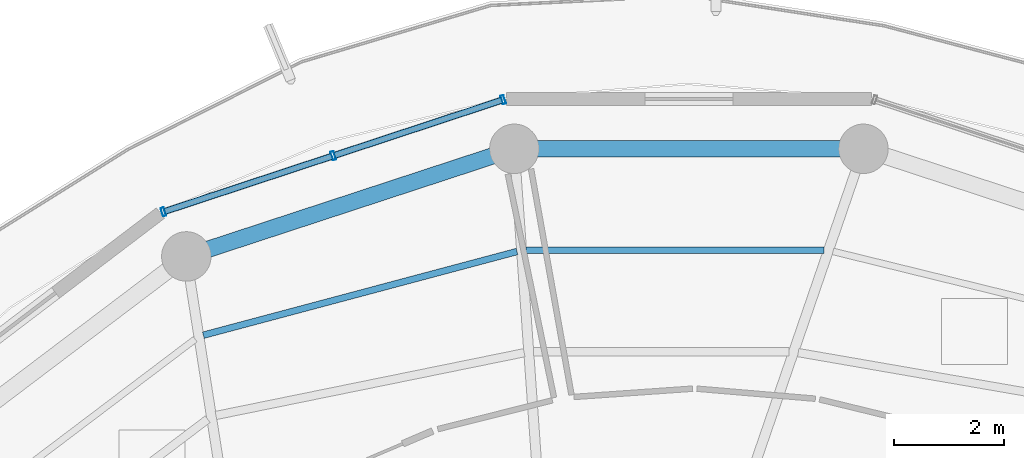
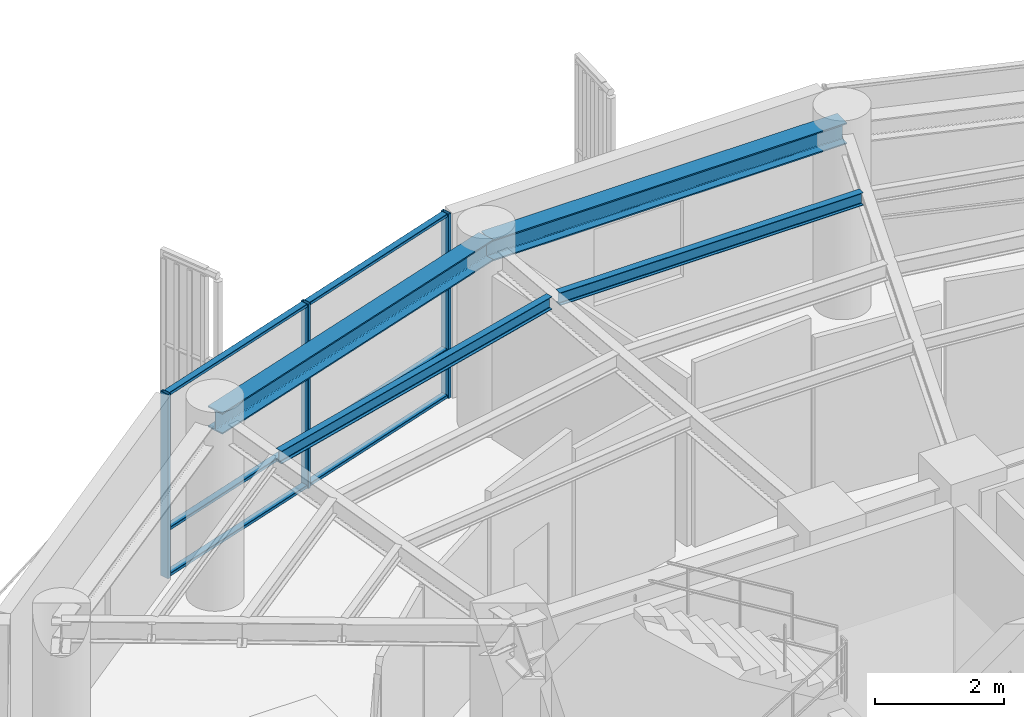
# One storey, part 13 of 23: 9 members, 4 beams, 1 element without a shape of its own.
"""IFC4 building model written with IfcOpenShell, lengths in metres."""

from ifc_helpers import new_model, si_unit, direction, frame, origin, origin_2d, place, context, subcontext, project, spatial, hollow_rectangle, i_section, extrude, material, layer, layer_set, material_profile, profile_set, type_object, element, aggregate, save


model = new_model("IFC4")

# Units and contexts
model_context = context("Model", 3, precision=1e-05, world=origin(), true_north=direction((0.0, 1.0)))
body_context = subcontext(model_context, "Body", "Model", "MODEL_VIEW")
ifc_project = project(units=[si_unit("LENGTHUNIT", "METRE"), si_unit("AREAUNIT", "SQUARE_METRE"), si_unit("VOLUMEUNIT", "CUBIC_METRE"), si_unit("PLANEANGLEUNIT", "RADIAN"), si_unit("MASSUNIT", "GRAM", prefix="KILO")], contexts=[model_context])

# Site, building, storey
site_placement = place(None, origin())
site = spatial("IfcSite", under=ifc_project, at=site_placement, CompositionType="ELEMENT")
building_placement = place(site_placement, origin())
building = spatial("IfcBuilding", under=site, at=building_placement, Name="Kelanora Arch Commons", CompositionType="ELEMENT")
storey_placement = place(building_placement, frame((0.0, 0.0, 286.199951171875)))
storey = spatial("IfcBuildingStorey", under=building, at=storey_placement, Name="L73", CompositionType="ELEMENT", Elevation=286.199951171875)

# Beams
ifc_material_1 = material(Name="Steel S355", Category="steel")
ifc_material_profile_1 = material_profile(ifc_material_1, i_section(OverallWidth=0.1201171875, OverallDepth=0.239990234375, WebThickness=0.006103515625, FlangeThickness=0.009765625, FilletRadius=0.014892578125, at=origin_2d()), Name="IPE240")
ifc_profile_set_1 = profile_set([ifc_material_profile_1], Name="Steel S355")
beam_type_1 = type_object("IfcBeamType", Name="BM-JST-02", PredefinedType="JOIST", material=ifc_profile_set_1)
beam_1_placement = place(storey_placement, frame((76.454345703125, 72.3837890625, 3.3701171875), z_axis=(-1.0, 0.0, 0.0), x_axis=(0.0, -1.0, 0.0)))
element("IfcBeam", 1, at=beam_1_placement, inside=storey, type_object=beam_type_1, Name="Secondary Chord Joist BJC-08 L73", PredefinedType="JOIST", context=body_context, shape_type="SweptSolid", body=[
    extrude(i_section(OverallWidth=0.1201171875, OverallDepth=0.239990234375, WebThickness=0.006103515625, FlangeThickness=0.009765625, FilletRadius=0.014892578125, at=origin_2d()), origin(), (0.0, 0.0, 1.0), 5.412841796875),
])
beam_2_placement = place(storey_placement, frame((70.87451171875, 72.36181640625, 3.3701171875), z_axis=(-0.966190312964, -0.257829942278, 0.0), x_axis=(0.257829942278, -0.966190312964, 0.0)))
element("IfcBeam", 2, at=beam_2_placement, inside=storey, type_object=beam_type_1, Name="Secondary Chord Joist BJC-10 L73", PredefinedType="JOIST", context=body_context, shape_type="SweptSolid", body=[
    extrude(i_section(OverallWidth=0.1201171875, OverallDepth=0.239990234375, WebThickness=0.006103515625, FlangeThickness=0.009765625, FilletRadius=0.014892578125, at=origin_2d()), origin(), (0.0, 0.0, 1.0), 5.904052734375),
])
ifc_material_profile_2 = material_profile(ifc_material_1, i_section(OverallWidth=0.300048828125, OverallDepth=0.39990234375, WebThickness=0.013427734375, FlangeThickness=0.02392578125, FilletRadius=0.027099609375, at=origin_2d()), Name="HEB400")
ifc_profile_set_2 = profile_set([ifc_material_profile_2], Name="Steel S355")
beam_type_2 = type_object("IfcBeamType", Name="BM-SPN-Z4", PredefinedType="SPANDREL", material=ifc_profile_set_2)
beam_3_placement = place(storey_placement, frame((77.17431640625, 74.2294921875, 3.2900390625), z_axis=(-1.0, 0.0, 0.0), x_axis=(0.0, -1.0, 0.0)))
element("IfcBeam", 3, at=beam_3_placement, inside=storey, type_object=beam_type_2, Name="Perimeter Spandrel Beam BS-08 L73", PredefinedType="SPANDREL", context=body_context, shape_type="SweptSolid", body=[
    extrude(i_section(OverallWidth=0.300048828125, OverallDepth=0.39990234375, WebThickness=0.013427734375, FlangeThickness=0.02392578125, FilletRadius=0.027099609375, at=origin_2d()), origin(), (0.0, 0.0, 1.0), 6.3486328125),
])
beam_4_placement = place(storey_placement, frame((70.82568359375, 74.2294921875, 3.2900390625), z_axis=(-0.950165923039, -0.311744636996, 0.0), x_axis=(0.311744636996, -0.950165923039, 0.0)))
element("IfcBeam", 4, at=beam_4_placement, inside=storey, type_object=beam_type_2, Name="Perimeter Spandrel Beam BS-10 L73", PredefinedType="SPANDREL", context=body_context, shape_type="SweptSolid", body=[
    extrude(i_section(OverallWidth=0.300048828125, OverallDepth=0.39990234375, WebThickness=0.013427734375, FlangeThickness=0.02392578125, FilletRadius=0.027099609375, at=origin_2d()), origin(), (0.0, 0.0, 1.0), 6.278564453125),
])

# Curtain wall, members
ifc_material_2 = material(Name="Terracotta ceramic-fritted low-E glass and aluminium", Category="masonry")
ifc_layer = layer(ifc_material_2, 0.18994140625)
ifc_layer_set = layer_set([ifc_layer], Name="Terracotta ceramic-fritted low-E glass and aluminium")
curtain_wall_type = type_object("IfcCurtainWallType", Name="CW-SYS-03", PredefinedType="NOTDEFINED", material=ifc_layer_set)
curtain_wall_placement = place(storey_placement, origin())
curtain_wall = element("IfcCurtainWall", 5, at=curtain_wall_placement, inside=storey, type_object=curtain_wall_type, Name="Unitised Curtain Wall L73-B05", PredefinedType="NOTDEFINED")
ifc_material_3 = material(Name="Powder-coated aluminium terracotta", Category="masonry")
ifc_material_profile_3 = material_profile(ifc_material_3, hollow_rectangle(XDim=0.159912109375, YDim=0.06005859375, WallThickness=0.0048828125, InnerFilletRadius=0.0048828125, OuterFilletRadius=0.010009765625, at=origin_2d()), Name="CWM160x60")
ifc_profile_set_3 = profile_set([ifc_material_profile_3], Name="Powder-coated aluminium terracotta")
member_type_1 = type_object("IfcMemberType", Name="CWM-STD", PredefinedType="MULLION", material=ifc_profile_set_3)
member_1_placement = place(storey_placement, frame((70.623291015625, 75.12158203125, 0.0), z_axis=(0.0, 0.0, 1.0), x_axis=(0.313252785344, -0.949669780752, 0.0)))
member_1 = element("IfcMember", 6, at=member_1_placement, type_object=member_type_1, Name="CW-03 mullion 1", PredefinedType="MULLION", context=body_context, shape_type="SweptSolid", body=[
    extrude(hollow_rectangle(XDim=0.159912109375, YDim=0.06005859375, WallThickness=0.0048828125, InnerFilletRadius=0.0048828125, OuterFilletRadius=0.010009765625, at=origin_2d()), origin(), (0.0, 0.0, 1.0), 3.47509765625),
])
member_2_placement = place(storey_placement, frame((67.532958984375, 74.102294921875, 0.0), z_axis=(0.0, 0.0, 1.0), x_axis=(0.313252785344, -0.949669780752, 0.0)))
member_2 = element("IfcMember", 7, at=member_2_placement, type_object=member_type_1, Name="CW-03 mullion 2", PredefinedType="MULLION", context=body_context, shape_type="SweptSolid", body=[
    extrude(hollow_rectangle(XDim=0.159912109375, YDim=0.06005859375, WallThickness=0.0048828125, InnerFilletRadius=0.0048828125, OuterFilletRadius=0.010009765625, at=origin_2d()), origin(), (0.0, 0.0, 1.0), 3.47509765625),
])
member_3_placement = place(storey_placement, frame((64.442626953125, 73.0830078125, 0.0), z_axis=(0.0, 0.0, 1.0), x_axis=(0.313252785344, -0.949669780752, 0.0)))
member_3 = element("IfcMember", 8, at=member_3_placement, type_object=member_type_1, Name="CW-03 mullion 3", PredefinedType="MULLION", context=body_context, shape_type="SweptSolid", body=[
    extrude(hollow_rectangle(XDim=0.159912109375, YDim=0.06005859375, WallThickness=0.0048828125, InnerFilletRadius=0.0048828125, OuterFilletRadius=0.010009765625, at=origin_2d()), origin(), (0.0, 0.0, 1.0), 3.47509765625),
])
ifc_material_profile_4 = material_profile(ifc_material_3, hollow_rectangle(XDim=0.1201171875, YDim=0.06005859375, WallThickness=0.0048828125, InnerFilletRadius=0.0048828125, OuterFilletRadius=0.010009765625, at=origin_2d()), Name="CWT120x60")
ifc_profile_set_4 = profile_set([ifc_material_profile_4], Name="Powder-coated aluminium terracotta")
member_type_2 = type_object("IfcMemberType", Name="CWT-STD", PredefinedType="USERDEFINED", material=ifc_profile_set_4)
member_4_placement = place(storey_placement, frame((70.5947265625, 75.1123046875, 0.030029296875), z_axis=(-0.949649574195, -0.313314037719, 0.0), x_axis=(0.313314037719, -0.949649574195, 0.0)))
member_4 = element("IfcMember", 9, at=member_4_placement, type_object=member_type_2, Name="CW-03 transom 1.1", ObjectType="TRANSOM", PredefinedType="USERDEFINED", context=body_context, shape_type="SweptSolid", body=[
    extrude(hollow_rectangle(XDim=0.1201171875, YDim=0.06005859375, WallThickness=0.0048828125, InnerFilletRadius=0.0048828125, OuterFilletRadius=0.010009765625, at=origin_2d()), origin(), (0.0, 0.0, 1.0), 3.194091796875),
])
member_5_placement = place(storey_placement, frame((70.5947265625, 75.1123046875, 0.900146484375), z_axis=(-0.949649574195, -0.313314037719, 0.0), x_axis=(0.313314037719, -0.949649574195, 0.0)))
member_5 = element("IfcMember", 10, at=member_5_placement, type_object=member_type_2, Name="CW-03 transom 1.2", ObjectType="TRANSOM", PredefinedType="USERDEFINED", context=body_context, shape_type="SweptSolid", body=[
    extrude(hollow_rectangle(XDim=0.1201171875, YDim=0.06005859375, WallThickness=0.0048828125, InnerFilletRadius=0.0048828125, OuterFilletRadius=0.010009765625, at=origin_2d()), origin(), (0.0, 0.0, 1.0), 3.194091796875),
])
member_6_placement = place(storey_placement, frame((70.5947265625, 75.1123046875, 3.445068359375), z_axis=(-0.949649574195, -0.313314037719, 0.0), x_axis=(0.313314037719, -0.949649574195, 0.0)))
member_6 = element("IfcMember", 11, at=member_6_placement, type_object=member_type_2, Name="CW-03 transom 1.3", ObjectType="TRANSOM", PredefinedType="USERDEFINED", context=body_context, shape_type="SweptSolid", body=[
    extrude(hollow_rectangle(XDim=0.1201171875, YDim=0.06005859375, WallThickness=0.0048828125, InnerFilletRadius=0.0048828125, OuterFilletRadius=0.010009765625, at=origin_2d()), origin(), (0.0, 0.0, 1.0), 3.194091796875),
])
member_7_placement = place(storey_placement, frame((67.50439453125, 74.0927734375, 0.030029296875), z_axis=(-0.949672315102, -0.313245102003, 0.0), x_axis=(0.313245102003, -0.949672315102, 0.0)))
member_7 = element("IfcMember", 12, at=member_7_placement, type_object=member_type_2, Name="CW-03 transom 2.1", ObjectType="TRANSOM", PredefinedType="USERDEFINED", context=body_context, shape_type="SweptSolid", body=[
    extrude(hollow_rectangle(XDim=0.1201171875, YDim=0.06005859375, WallThickness=0.0048828125, InnerFilletRadius=0.0048828125, OuterFilletRadius=0.010009765625, at=origin_2d()), origin(), (0.0, 0.0, 1.0), 3.19384765625),
])
member_8_placement = place(storey_placement, frame((67.50439453125, 74.0927734375, 0.900146484375), z_axis=(-0.949672315102, -0.313245102003, 0.0), x_axis=(0.313245102003, -0.949672315102, 0.0)))
member_8 = element("IfcMember", 13, at=member_8_placement, type_object=member_type_2, Name="CW-03 transom 2.2", ObjectType="TRANSOM", PredefinedType="USERDEFINED", context=body_context, shape_type="SweptSolid", body=[
    extrude(hollow_rectangle(XDim=0.1201171875, YDim=0.06005859375, WallThickness=0.0048828125, InnerFilletRadius=0.0048828125, OuterFilletRadius=0.010009765625, at=origin_2d()), origin(), (0.0, 0.0, 1.0), 3.19384765625),
])
member_9_placement = place(storey_placement, frame((67.50439453125, 74.0927734375, 3.445068359375), z_axis=(-0.949672315102, -0.313245102003, 0.0), x_axis=(0.313245102003, -0.949672315102, 0.0)))
member_9 = element("IfcMember", 14, at=member_9_placement, type_object=member_type_2, Name="CW-03 transom 2.3", ObjectType="TRANSOM", PredefinedType="USERDEFINED", context=body_context, shape_type="SweptSolid", body=[
    extrude(hollow_rectangle(XDim=0.1201171875, YDim=0.06005859375, WallThickness=0.0048828125, InnerFilletRadius=0.0048828125, OuterFilletRadius=0.010009765625, at=origin_2d()), origin(), (0.0, 0.0, 1.0), 3.19384765625),
])
aggregate(curtain_wall, [member_1, member_2, member_3, member_4, member_5, member_6, member_7, member_8, member_9])

save(model, "model.ifc")
